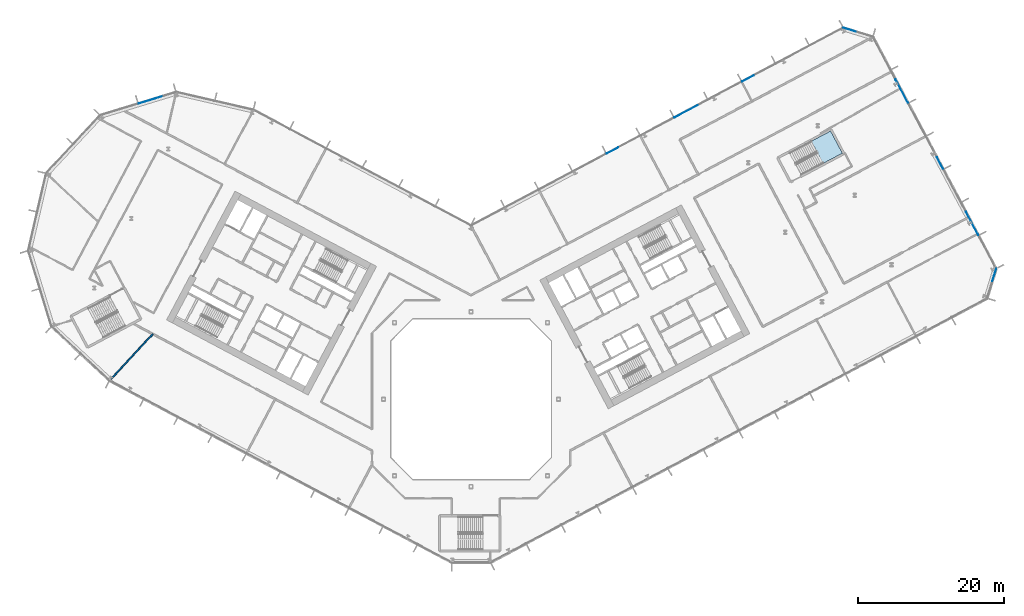
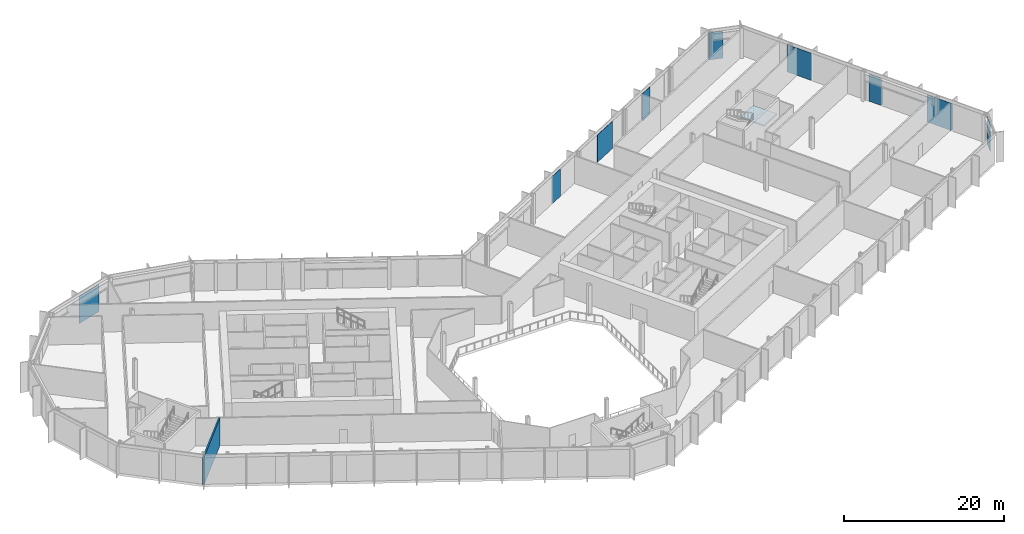
# One storey, part 13 of 31: 9 plates, 1 slab, 1 wall, 6 elements without a shape of their own.
"""IFC4 building model written with IfcOpenShell, lengths in metres."""

from ifc_helpers import new_model, si_unit, direction, frame, frame_2d, origin, origin_2d, place, context, subcontext, project, spatial, polyline, rectangle, outline, extrude, material, layer, layer_set, type_object, element, aggregate, save


model = new_model("IFC4")

# Units and contexts
model_context = context("Model", 3, precision=1e-05, world=origin(), true_north=direction((0.0, 1.0)))
body_context = subcontext(model_context, "Body", "Model", "MODEL_VIEW")
ifc_project = project(units=[si_unit("LENGTHUNIT", "METRE"), si_unit("AREAUNIT", "SQUARE_METRE"), si_unit("VOLUMEUNIT", "CUBIC_METRE"), si_unit("PLANEANGLEUNIT", "RADIAN"), si_unit("MASSUNIT", "GRAM", prefix="KILO")], contexts=[model_context])

# Site, building, storey
site_placement = place(None, origin())
site = spatial("IfcSite", under=ifc_project, at=site_placement, CompositionType="ELEMENT")
building_placement = place(site_placement, origin())
building = spatial("IfcBuilding", under=site, at=building_placement, Name="Cormorant Relay Tower", CompositionType="ELEMENT")
storey_placement = place(building_placement, frame((0.0, 0.0, 93.800048828125)))
storey = spatial("IfcBuildingStorey", under=building, at=storey_placement, Name="L18", CompositionType="ELEMENT", Elevation=93.800048828125)

# Curtain wall, plate
ifc_material_1 = material(Name="Aluminium 6063-T6 anodised bronze", Category="aluminium")
ifc_layer_1 = layer(ifc_material_1, 0.199951171875)
ifc_layer_set_1 = layer_set([ifc_layer_1], Name="CW1 unitised bronze curtain wall with vertical fins")
curtain_wall_type = type_object("IfcCurtainWallType", Name="CW1 unitised bronze curtain wall with vertical fins", PredefinedType="NOTDEFINED", material=ifc_layer_set_1)
curtain_wall_1_placement = place(storey_placement, origin())
curtain_wall_1 = element("IfcCurtainWall", 1, at=curtain_wall_1_placement, inside=storey, type_object=curtain_wall_type, Name="CW1 curtain wall 3", PredefinedType="NOTDEFINED")
ifc_material_2 = material(Name="Tinted laminated glass", Category="glass")
ifc_layer_2 = layer(ifc_material_2, 0.0400390625)
ifc_layer_set_2 = layer_set([ifc_layer_2], Name="CW1 tinted vision panel 1800 module")
plate_type_1 = type_object("IfcPlateType", Name="CW1 tinted vision panel 1800 module", PredefinedType="CURTAIN_PANEL", material=ifc_layer_set_2)
plate_1_placement = place(storey_placement, frame((71.77880859375, 17.04248046875, 0.0), z_axis=(0.0, 0.0, 1.0), x_axis=(0.292371704723, 0.956304755963, 0.0)))
plate_1 = element("IfcPlate", 2, at=plate_1_placement, type_object=plate_type_1, Name="CW1 panel V01", PredefinedType="CURTAIN_PANEL", context=body_context, shape_type="SweptSolid", body=[
    extrude(rectangle(XDim=1.800048828125, YDim=0.0400390625, at=origin_2d()), origin(), (0.0, 0.0, 1.0), 4.14990234375),
])
aggregate(curtain_wall_1, [plate_1])

curtain_wall_2_placement = place(storey_placement, origin())
curtain_wall_2 = element("IfcCurtainWall", 3, at=curtain_wall_2_placement, inside=storey, type_object=curtain_wall_type, Name="CW1 curtain wall 4", PredefinedType="NOTDEFINED")
plate_2_placement = place(storey_placement, frame((64.33935546875, 32.40185546875, 0.0), z_axis=(0.0, 0.0, 1.0), x_axis=(-0.469471562786, 0.882947592859, 0.0)))
plate_2 = element("IfcPlate", 4, at=plate_2_placement, type_object=plate_type_1, Name="CW1 panel V03", PredefinedType="CURTAIN_PANEL", context=body_context, shape_type="SweptSolid", body=[
    extrude(rectangle(XDim=1.800048828125, YDim=0.0400390625, at=origin_2d()), origin(), (0.0, 0.0, 1.0), 4.14990234375),
])

curtain_wall_3_placement = place(storey_placement, origin())
curtain_wall_3 = element("IfcCurtainWall", 5, at=curtain_wall_3_placement, inside=storey, type_object=curtain_wall_type, Name="CW1 curtain wall 5", PredefinedType="NOTDEFINED")
plate_3_placement = place(storey_placement, frame((51.930908203125, 50.69140625, 0.0), z_axis=(0.0, 0.0, 1.0), x_axis=(-0.956304755963, 0.292371704723, 0.0)))
plate_3 = element("IfcPlate", 6, at=plate_3_placement, type_object=plate_type_1, Name="CW1 panel V01", PredefinedType="CURTAIN_PANEL", context=body_context, shape_type="SweptSolid", body=[
    extrude(rectangle(XDim=1.800048828125, YDim=0.0400390625, at=origin_2d()), origin(), (0.0, 0.0, 1.0), 4.14990234375),
])
aggregate(curtain_wall_3, [plate_3])

# Curtain wall, plates
curtain_wall_4_placement = place(storey_placement, origin())
curtain_wall_4 = element("IfcCurtainWall", 7, at=curtain_wall_4_placement, inside=storey, type_object=curtain_wall_type, Name="CW1 curtain wall 6", PredefinedType="NOTDEFINED")
plate_4_placement = place(storey_placement, frame((37.9892578125, 44.005859375, 0.0), z_axis=(0.0, 0.0, 1.0), x_axis=(-0.882947592859, -0.469471562786, 0.0)))
plate_4 = element("IfcPlate", 8, at=plate_4_placement, type_object=plate_type_1, Name="CW1 panel V02", PredefinedType="CURTAIN_PANEL", context=body_context, shape_type="SweptSolid", body=[
    extrude(rectangle(XDim=1.800048828125, YDim=0.0400390625, at=origin_2d()), origin(), (0.0, 0.0, 1.0), 4.14990234375),
])
plate_5_placement = place(storey_placement, frame((19.42041015625, 34.132568359375, 0.0), z_axis=(0.0, 0.0, 1.0), x_axis=(-0.882947592859, -0.469471562786, 0.0)))
plate_5 = element("IfcPlate", 9, at=plate_5_placement, type_object=plate_type_1, Name="CW1 panel V06", PredefinedType="CURTAIN_PANEL", context=body_context, shape_type="SweptSolid", body=[
    extrude(rectangle(XDim=1.800048828125, YDim=0.0400390625, at=origin_2d()), origin(), (0.0, 0.0, 1.0), 4.14990234375),
])

# Plate
ifc_material_3 = material(Name="Tinted laminated glass", Category="glass")
ifc_layer_3 = layer(ifc_material_3, 0.0400390625)
ifc_layer_set_3 = layer_set([ifc_layer_3], Name="CW1 tinted vision panel 3600 module")
plate_type_2 = type_object("IfcPlateType", Name="CW1 tinted vision panel 3600 module", PredefinedType="CURTAIN_PANEL", material=ifc_layer_set_3)
plate_6_placement = place(storey_placement, frame((68.74560546875, 24.11474609375, 0.0), z_axis=(0.0, 0.0, 1.0), x_axis=(-0.469471562786, 0.882947592859, 0.0)))
plate_6 = element("IfcPlate", 10, at=plate_6_placement, type_object=plate_type_2, Name="CW1 panel V01", PredefinedType="CURTAIN_PANEL", context=body_context, shape_type="SweptSolid", body=[
    extrude(rectangle(XDim=3.60009765625, YDim=0.0400390625, at=origin_2d()), origin(), (0.0, 0.0, 1.0), 4.14990234375),
])

plate_7_placement = place(storey_placement, frame((59.087890625, 42.2783203125, 0.0), z_axis=(0.0, 0.0, 1.0), x_axis=(-0.469471562786, 0.882947592859, 0.0)))
plate_7 = element("IfcPlate", 11, at=plate_7_placement, type_object=plate_type_2, Name="CW1 panel V05", PredefinedType="CURTAIN_PANEL", context=body_context, shape_type="SweptSolid", body=[
    extrude(rectangle(XDim=3.60009765625, YDim=0.0400390625, at=origin_2d()), origin(), (0.0, 0.0, 1.0), 4.14990234375),
])

aggregate(curtain_wall_2, [plate_6, plate_2, plate_7])

plate_8_placement = place(storey_placement, frame((29.49951171875, 39.49169921875, 0.0), z_axis=(0.0, 0.0, 1.0), x_axis=(-0.882947592859, -0.469471562786, 0.0)))
plate_8 = element("IfcPlate", 12, at=plate_8_placement, type_object=plate_type_2, Name="CW1 panel V04", PredefinedType="CURTAIN_PANEL", context=body_context, shape_type="SweptSolid", body=[
    extrude(rectangle(XDim=3.60009765625, YDim=0.0400390625, at=origin_2d()), origin(), (0.0, 0.0, 1.0), 4.14990234375),
])

aggregate(curtain_wall_4, [plate_4, plate_8, plate_5])

# Curtain wall, plate
curtain_wall_5_placement = place(storey_placement, origin())
curtain_wall_5 = element("IfcCurtainWall", 13, at=curtain_wall_5_placement, inside=storey, type_object=curtain_wall_type, Name="CW1 curtain wall 9", PredefinedType="NOTDEFINED")
plate_9_placement = place(storey_placement, frame((-43.8759765625, 41.091796875, 0.0), z_axis=(0.0, 0.0, 1.0), x_axis=(-0.956304755963, -0.292371704723, 0.0)))
plate_9 = element("IfcPlate", 14, at=plate_9_placement, type_object=plate_type_2, Name="CW1 panel V01", PredefinedType="CURTAIN_PANEL", context=body_context, shape_type="SweptSolid", body=[
    extrude(rectangle(XDim=3.60009765625, YDim=0.0400390625, at=origin_2d()), origin(), (0.0, 0.0, 1.0), 4.14990234375),
])
aggregate(curtain_wall_5, [plate_9])

# Stair, slab
ifc_material_4 = material(Name="Concrete 40 MPa", Category="concrete")
stair_type = type_object("IfcStairType", Name="Exit stair 1500", PredefinedType="HALF_TURN_STAIR", material=ifc_material_4)
stair_placement = place(storey_placement, origin())
stair = element("IfcStair", 15, at=stair_placement, inside=storey, type_object=stair_type, Name="L18 Stair", PredefinedType="HALF_TURN_STAIR")
ifc_material_5 = material(Name="Concrete 40 MPa", Category="concrete")
ifc_layer_4 = layer(ifc_material_5, 0.199951171875)
ifc_layer_set_4 = layer_set([ifc_layer_4], Name="Exit stair landing 200")
slab_type = type_object("IfcSlabType", Name="Exit stair landing 200", PredefinedType="LANDING", material=ifc_layer_set_4)
slab_placement = place(storey_placement, frame((0.0, 0.0, 2.099853515625)))
slab = element("IfcSlab", 16, at=slab_placement, type_object=slab_type, Name="RB1 landing 1", PredefinedType="LANDING", context=body_context, shape_type="SweptSolid", body=[
    extrude(outline(polyline([(48.301513671875, 32.35107421875), (50.941650390625, 33.7548828125), (49.322021484375, 36.801025390625), (46.681884765625, 35.397216796875), (48.301513671875, 32.35107421875)])), origin(), (0.0, 0.0, 1.0), 0.2001953125),
])
aggregate(stair, [slab])

# Wall
ifc_material_6 = material(Name="Fire-rated gypsum board partition")
ifc_layer_5 = layer(ifc_material_6, 0.199951171875)
ifc_layer_set_5 = layer_set([ifc_layer_5], Name="Fire-rated gypsum partition 200")
wall_type = type_object("IfcWallType", Name="Fire-rated gypsum partition 200", PredefinedType="PARTITIONING", material=ifc_layer_set_5)
wall_placement = place(storey_placement, frame((-43.660888671875, 8.944091796875, 0.0), z_axis=(0.0, 0.0, 1.0), x_axis=(-0.682024103878, -0.731329694276, 0.0)))
element("IfcWall", 17, at=wall_placement, inside=storey, type_object=wall_type, Name="wall/L18/part/6", PredefinedType="PARTITIONING", context=body_context, shape_type="SweptSolid", body=[
    extrude(rectangle(XDim=8.90283203125, YDim=0.199951171875, at=frame_2d((4.451416015625, 0.0))), origin(), (0.0, 0.0, 1.0), 4.199951171875),
])

save(model, "model.ifc")
